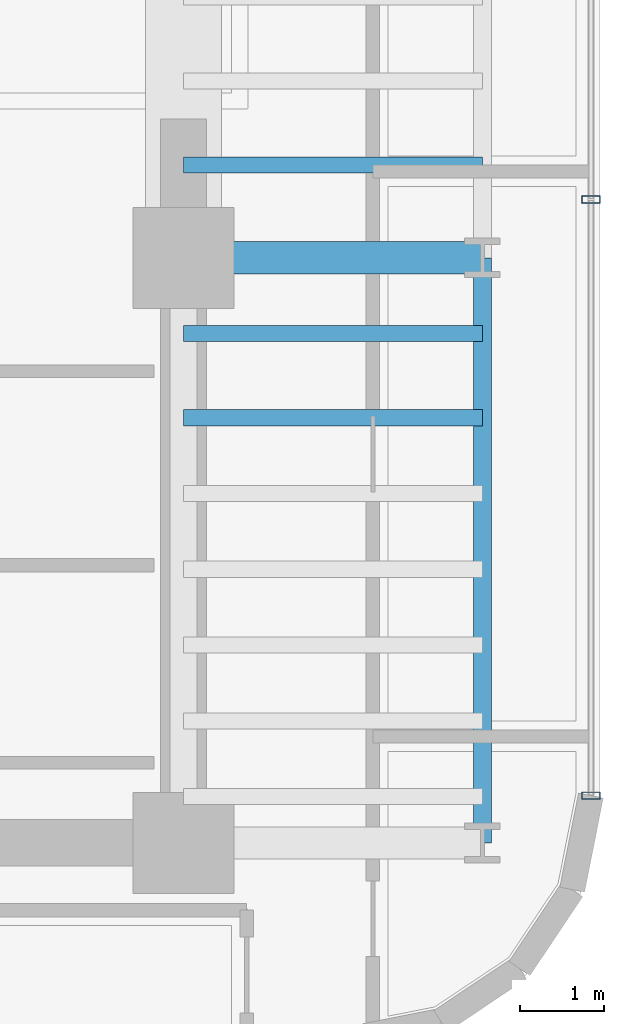
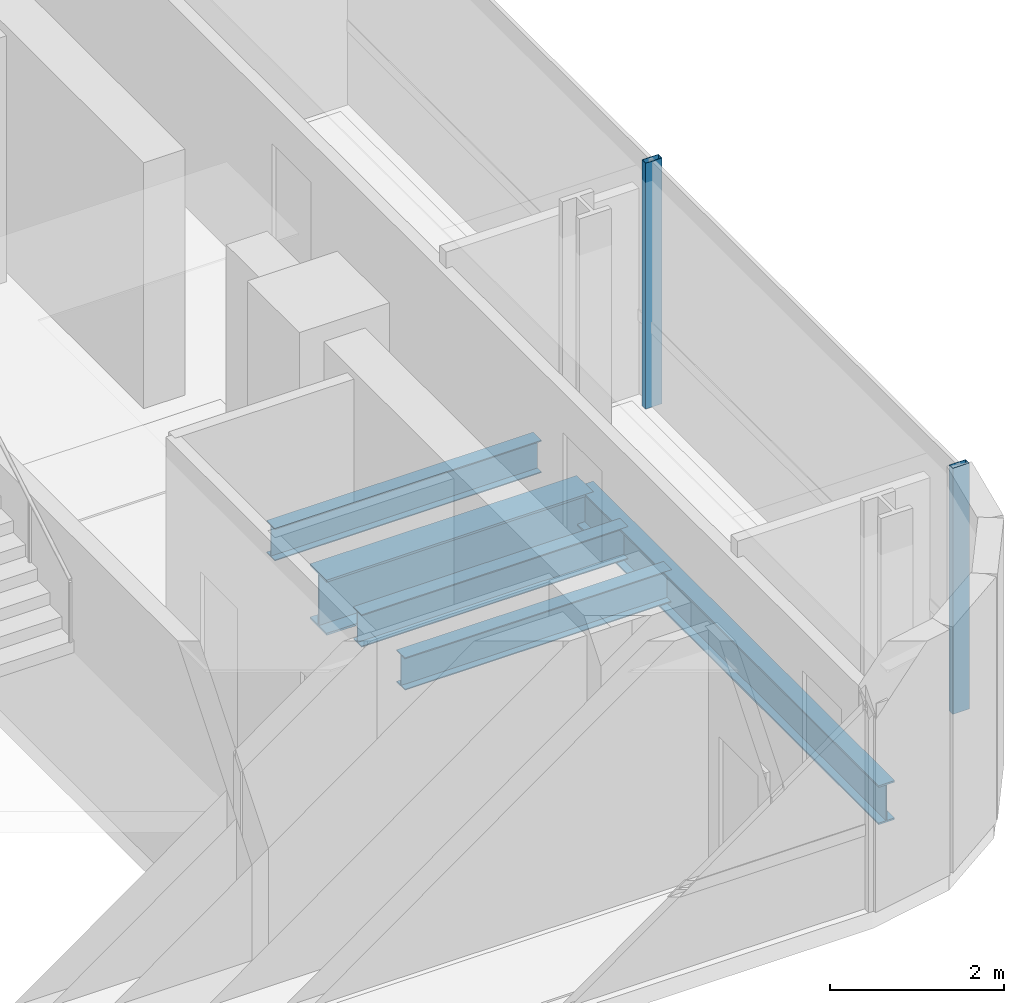
# One storey, part 13 of 36: 5 beams, 2 members, 1 element without a shape of its own.
"""IFC4 building model written with IfcOpenShell, lengths in metres."""

from ifc_helpers import new_model, si_unit, direction, frame, origin, origin_2d, place, context, subcontext, project, spatial, hollow_rectangle, i_section, extrude, source, transform, mapped, material, material_profile, profile_set, type_object, element, aggregate, save


model = new_model("IFC4")

# Units and contexts
model_context = context("Model", 3, precision=1e-05, world=origin(), true_north=direction((0.0, 1.0)))
body_context = subcontext(model_context, "Body", "Model", "MODEL_VIEW")
ifc_project = project(units=[si_unit("LENGTHUNIT", "METRE"), si_unit("AREAUNIT", "SQUARE_METRE"), si_unit("VOLUMEUNIT", "CUBIC_METRE"), si_unit("PLANEANGLEUNIT", "RADIAN"), si_unit("MASSUNIT", "GRAM", prefix="KILO")], contexts=[model_context])

# Site, building, storey
site_placement = place(None, origin())
site = spatial("IfcSite", under=ifc_project, at=site_placement, CompositionType="ELEMENT")
building_placement = place(site_placement, origin())
building = spatial("IfcBuilding", under=site, at=building_placement, Name="Valdorenza Pilgrim Sanctuary Tower", CompositionType="ELEMENT")
storey_placement = place(building_placement, frame((0.0, 0.0, 153.800048828125)))
storey = spatial("IfcBuildingStorey", under=building, at=storey_placement, Name="L39", CompositionType="ELEMENT", Elevation=153.800048828125)

# Beams
ifc_material_1 = material(Name="Steel ASTM A992 Grade 50", Category="steel")
ifc_material_profile_1 = material_profile(ifc_material_1, i_section(OverallWidth=0.214111328125, OverallDepth=0.549072265625, WebThickness=0.0146484375, FlangeThickness=0.023681640625, at=origin_2d()), Name="W21X93")
ifc_profile_set_1 = profile_set([ifc_material_profile_1], Name="Steel ASTM A992 Grade 50")
beam_type_1 = type_object("IfcBeamType", Name="STR-BM-SPN-W21A", PredefinedType="SPANDREL", material=ifc_profile_set_1)
shared_shape_1 = source(origin(), body_context, "Body", "SweptSolid", [
    extrude(i_section(OverallWidth=0.214111328125, OverallDepth=0.549072265625, WebThickness=0.0146484375, FlangeThickness=0.023681640625, at=origin_2d()), origin(), (0.0, 0.0, 1.0), 6.949951171875),
])
beam_1_placement = place(storey_placement, frame((28.39990234375, -9.550048828125, -0.5146484375), z_axis=(0.0, 1.0, 0.0), x_axis=(-1.0, 0.0, 0.0)))
element("IfcBeam", 1, at=beam_1_placement, inside=storey, type_object=beam_type_1, Name="L39 Spandrel Beam WB-E-S1M0", PredefinedType="SPANDREL", context=body_context, shape_type="MappedRepresentation", body=[
    mapped(shared_shape_1, transform((0.0, 0.0, 0.0), x_axis=(1.0, 0.0, 0.0), y_axis=(0.0, 1.0, 0.0), z_axis=(0.0, 0.0, 1.0), scale=1.0)),
])
ifc_material_profile_2 = material_profile(ifc_material_1, i_section(OverallWidth=0.382080078125, OverallDepth=0.779052734375, WebThickness=0.01806640625, FlangeThickness=0.030029296875, at=origin_2d()), Name="W30X191")
ifc_profile_set_2 = profile_set([ifc_material_profile_2], Name="Steel ASTM A992 Grade 50")
beam_type_2 = type_object("IfcBeamType", Name="STR-BM-GRD-W30", PredefinedType="BEAM", material=ifc_profile_set_2)
shared_shape_2 = source(origin(), body_context, "Body", "SweptSolid", [
    extrude(i_section(OverallWidth=0.382080078125, OverallDepth=0.779052734375, WebThickness=0.01806640625, FlangeThickness=0.030029296875, at=origin_2d()), origin(), (0.0, 0.0, 1.0), 3.5498046875),
])
beam_2_placement = place(storey_placement, frame((24.85009765625, -2.60009765625, -0.629638671875), z_axis=(1.0, 0.0, 0.0), x_axis=(0.0, 1.0, 0.0)))
element("IfcBeam", 2, at=beam_2_placement, inside=storey, type_object=beam_type_2, Name="L39 Floor Girder WB-XE-M0", PredefinedType="BEAM", context=body_context, shape_type="MappedRepresentation", body=[
    mapped(shared_shape_2, transform((0.0, 0.0, 0.0), x_axis=(1.0, 0.0, 0.0), y_axis=(0.0, 1.0, 0.0), z_axis=(0.0, 0.0, 1.0), scale=1.0)),
])
ifc_material_profile_3 = material_profile(ifc_material_1, i_section(OverallWidth=0.19091796875, OverallDepth=0.45703125, WebThickness=0.009033203125, FlangeThickness=0.014404296875, at=origin_2d()), Name="W18X50")
ifc_profile_set_3 = profile_set([ifc_material_profile_3], Name="Steel ASTM A992 Grade 50")
beam_type_3 = type_object("IfcBeamType", Name="STR-BM-JST-W18B", PredefinedType="JOIST", material=ifc_profile_set_3)
shared_shape_3 = source(origin(), body_context, "Body", "SweptSolid", [
    extrude(i_section(OverallWidth=0.19091796875, OverallDepth=0.45703125, WebThickness=0.009033203125, FlangeThickness=0.014404296875, at=origin_2d()), origin(), (0.0, 0.0, 1.0), 3.5498046875),
])
for number, where, z_axis, x_axis, name in (
    (3, (24.85009765625, -4.5, -0.468505859375), (1.0, 0.0, 0.0), (0.0, 1.0, 0.0), "L39 Composite Floor Joist JST-WB-6"),
    (4, (24.85009765625, -3.5, -0.468505859375), (1.0, 0.0, 0.0), (0.0, 1.0, 0.0), "L39 Composite Floor Joist JST-WB-7"),
    (5, (24.85009765625, -1.5, -0.468505859375), (1.0, 0.0, 0.0), (0.0, 1.0, 0.0), "L39 Composite Floor Joist JST-WB-8"),
):
    element("IfcBeam", number, at=place(storey_placement, frame(where, z_axis=z_axis, x_axis=x_axis)), inside=storey, type_object=beam_type_3, Name=name, PredefinedType="JOIST", context=body_context, shape_type="MappedRepresentation", body=[
        mapped(shared_shape_3, transform((0.0, 0.0, 0.0), x_axis=(1.0, 0.0, 0.0), y_axis=(0.0, 1.0, 0.0), z_axis=(0.0, 0.0, 1.0), scale=1.0)),
    ])

# Curtain wall, members
ifc_material_2 = material(Name="Curtain-wall IGU glazing", Category="glass")
curtain_wall_type = type_object("IfcCurtainWallType", Name="CW-SYS-03", PredefinedType="NOTDEFINED", material=ifc_material_2)
curtain_wall_placement = place(storey_placement, origin())
curtain_wall = element("IfcCurtainWall", 6, at=curtain_wall_placement, inside=storey, type_object=curtain_wall_type, Name="L39 Curtain Wall CW-L39-2-11", PredefinedType="NOTDEFINED")
ifc_material_3 = material(Name="Anodised aluminium AW-6060", Category="aluminium")
ifc_material_profile_4 = material_profile(ifc_material_3, hollow_rectangle(XDim=0.0849609375, YDim=0.219970703125, WallThickness=0.0048828125, at=origin_2d()), Name="ALU-M 220x85x5")
ifc_profile_set_4 = profile_set([ifc_material_profile_4], Name="Anodised aluminium AW-6060")
member_type = type_object("IfcMemberType", Name="CW-MUL-03", PredefinedType="MULLION", material=ifc_profile_set_4)
shared_shape_4 = source(origin(), body_context, "Body", "SweptSolid", [
    extrude(hollow_rectangle(XDim=0.0849609375, YDim=0.219970703125, WallThickness=0.0048828125, at=origin_2d()), origin(), (0.0, 0.0, 1.0), 3.4599609375),
])
member_1_placement = place(storey_placement, frame((29.68994140625, -1.908447265625, 0.0), z_axis=(0.0, 0.0, 1.0), x_axis=(0.0, -1.0, 0.0)))
member_1 = element("IfcMember", 7, at=member_1_placement, type_object=member_type, Name="CW-L39-2-11 Mullion 3", PredefinedType="MULLION", context=body_context, shape_type="MappedRepresentation", body=[
    mapped(shared_shape_4, transform((0.0, 0.0, 0.0), x_axis=(1.0, 0.0, 0.0), y_axis=(0.0, 1.0, 0.0), z_axis=(0.0, 0.0, 1.0), scale=1.0)),
])
member_2_placement = place(storey_placement, frame((29.68994140625, -8.9892578125, 0.0), z_axis=(0.0, 0.0, 1.0), x_axis=(0.0, -1.0, 0.0)))
member_2 = element("IfcMember", 8, at=member_2_placement, type_object=member_type, Name="CW-L39-2-11 Mullion 4", PredefinedType="MULLION", context=body_context, shape_type="MappedRepresentation", body=[
    mapped(shared_shape_4, transform((0.0, 0.0, 0.0), x_axis=(1.0, 0.0, 0.0), y_axis=(0.0, 1.0, 0.0), z_axis=(0.0, 0.0, 1.0), scale=1.0)),
])
aggregate(curtain_wall, [member_1, member_2])

save(model, "model.ifc")
